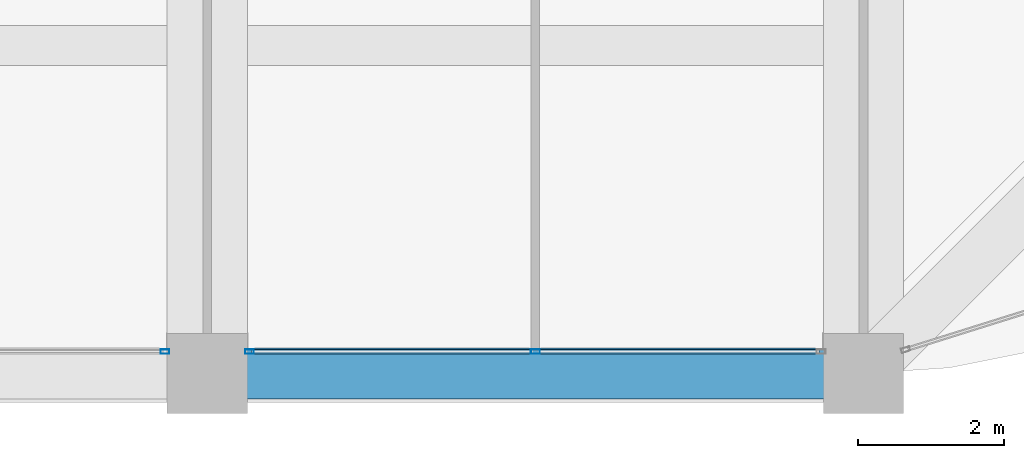
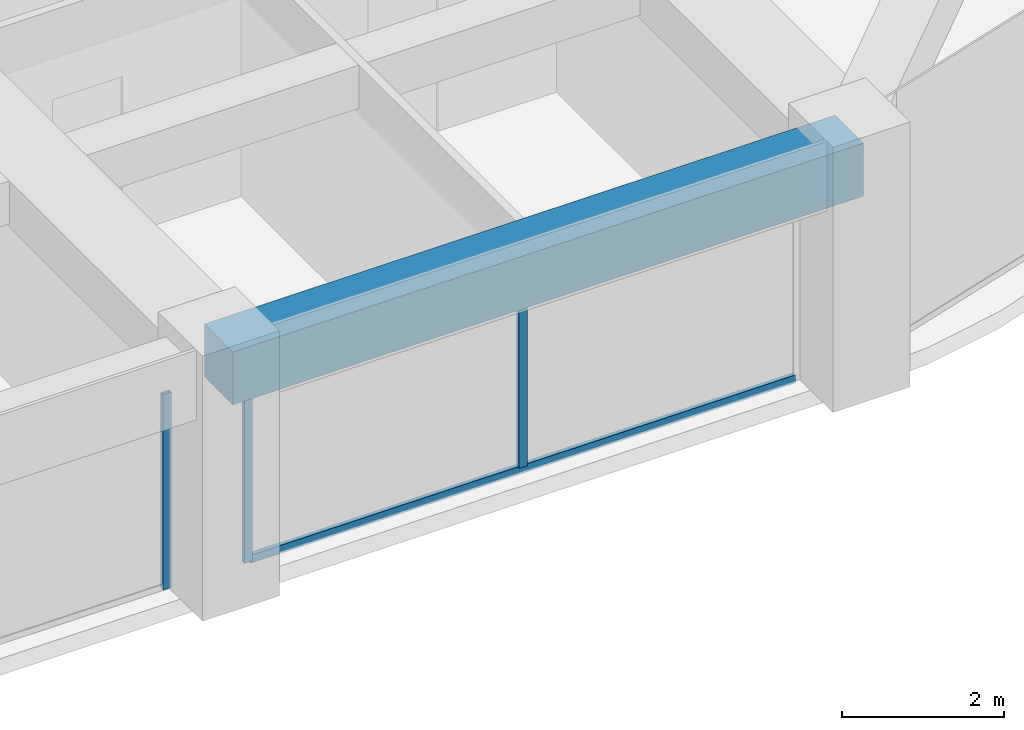
# One storey, part 11 of 44: 4 members, 1 beam, 2 elements without a shape of their own.
"""IFC4 building model written with IfcOpenShell, lengths in metres."""

from ifc_helpers import new_model, si_unit, direction, frame, origin, origin_2d, place, context, subcontext, project, spatial, rectangle, hollow_rectangle, extrude, material, material_profile, profile_set, type_object, element, aggregate, save


model = new_model("IFC4")

# Units and contexts
model_context = context("Model", 3, precision=1e-05, world=origin(), true_north=direction((0.0, 1.0)))
body_context = subcontext(model_context, "Body", "Model", "MODEL_VIEW")
ifc_project = project(units=[si_unit("LENGTHUNIT", "METRE"), si_unit("AREAUNIT", "SQUARE_METRE"), si_unit("VOLUMEUNIT", "CUBIC_METRE"), si_unit("PLANEANGLEUNIT", "RADIAN"), si_unit("MASSUNIT", "GRAM", prefix="KILO")], contexts=[model_context])

# Site, building, storey
site_placement = place(None, origin())
site = spatial("IfcSite", under=ifc_project, at=site_placement, CompositionType="ELEMENT")
building_placement = place(site_placement, origin())
building = spatial("IfcBuilding", under=site, at=building_placement, Name="Zorevar Civic Tower", CompositionType="ELEMENT")
storey_placement = place(building_placement, frame((0.0, 0.0, 283.39990234375)))
storey = spatial("IfcBuildingStorey", under=building, at=storey_placement, Name="L69", CompositionType="ELEMENT", Elevation=283.39990234375)

# Curtain wall, member
ifc_material_1 = material(Name="Dark grey solar-control glass in black aluminium frame", Category="aluminium")
curtain_wall_type = type_object("IfcCurtainWallType", Name="Curtain wall CW5 top zone", PredefinedType="NOTDEFINED", material=ifc_material_1)
curtain_wall_1_placement = place(storey_placement, origin())
curtain_wall_1 = element("IfcCurtainWall", 1, at=curtain_wall_1_placement, inside=storey, type_object=curtain_wall_type, Name="CW5 L69", PredefinedType="NOTDEFINED")
ifc_material_2 = material(Name="Aluminium, black anodised", Category="aluminium")
ifc_material_profile_1 = material_profile(ifc_material_2, hollow_rectangle(XDim=0.06005859375, YDim=0.1201171875, WallThickness=0.0029296875, at=origin_2d()), Name="AL 120x60x3")
ifc_profile_set_1 = profile_set([ifc_material_profile_1], Name="Aluminium, black anodised")
member_type_1 = type_object("IfcMemberType", Name="CW5 mullion AL 120x60x3", PredefinedType="MULLION", material=ifc_profile_set_1)
member_1_placement = place(storey_placement, frame((35.419921875, 0.300048828125, 0.0), z_axis=(0.0, 0.0, 1.0), x_axis=(0.0, 1.0, 0.0)))
member_1 = element("IfcMember", 2, at=member_1_placement, type_object=member_type_1, Name="CW5 mullion 3", PredefinedType="MULLION", context=body_context, shape_type="SweptSolid", body=[
    extrude(hollow_rectangle(XDim=0.06005859375, YDim=0.1201171875, WallThickness=0.0029296875, at=origin_2d()), origin(), (0.0, 0.0, 1.0), 2.9501953125),
])
aggregate(curtain_wall_1, [member_1])

# Curtain wall, members
curtain_wall_2_placement = place(storey_placement, origin())
curtain_wall_2 = element("IfcCurtainWall", 3, at=curtain_wall_2_placement, inside=storey, type_object=curtain_wall_type, Name="CW5 L69", PredefinedType="NOTDEFINED")
member_2_placement = place(storey_placement, frame((36.580078125, 0.300048828125, 0.0), z_axis=(0.0, 0.0, 1.0), x_axis=(0.0, 1.0, 0.0)))
member_2 = element("IfcMember", 4, at=member_2_placement, type_object=member_type_1, Name="CW5 mullion 1", PredefinedType="MULLION", context=body_context, shape_type="SweptSolid", body=[
    extrude(hollow_rectangle(XDim=0.06005859375, YDim=0.1201171875, WallThickness=0.0029296875, at=origin_2d()), origin(), (0.0, 0.0, 1.0), 2.9501953125),
])
member_3_placement = place(storey_placement, frame((40.5, 0.300048828125, 0.06005859375), z_axis=(0.0, 0.0, 1.0), x_axis=(0.0, 1.0, 0.0)))
member_3 = element("IfcMember", 5, at=member_3_placement, type_object=member_type_1, Name="CW5 mullion 2", PredefinedType="MULLION", context=body_context, shape_type="SweptSolid", body=[
    extrude(hollow_rectangle(XDim=0.06005859375, YDim=0.1201171875, WallThickness=0.0029296875, at=origin_2d()), origin(), (0.0, 0.0, 1.0), 2.89013671875),
])
ifc_material_3 = material(Name="Aluminium, black anodised", Category="aluminium")
ifc_material_profile_2 = material_profile(ifc_material_3, hollow_rectangle(XDim=0.06005859375, YDim=0.1201171875, WallThickness=0.0029296875, at=origin_2d()), Name="AL 120x60x3")
ifc_profile_set_2 = profile_set([ifc_material_profile_2], Name="Aluminium, black anodised")
member_type_2 = type_object("IfcMemberType", Name="CW5 transom AL 120x60x3", PredefinedType="USERDEFINED", material=ifc_profile_set_2)
member_4_placement = place(storey_placement, frame((36.610107421875, 0.300048828125, 0.030029296875), z_axis=(1.0, 0.0, 0.0), x_axis=(0.0, 1.0, 0.0)))
member_4 = element("IfcMember", 6, at=member_4_placement, type_object=member_type_2, Name="CW5 sill transom", ObjectType="TRANSOM", PredefinedType="USERDEFINED", context=body_context, shape_type="SweptSolid", body=[
    extrude(hollow_rectangle(XDim=0.06005859375, YDim=0.1201171875, WallThickness=0.0029296875, at=origin_2d()), origin(), (0.0, 0.0, 1.0), 7.77978515625),
])
aggregate(curtain_wall_2, [member_2, member_3, member_4])

# Beam
ifc_material_4 = material(Name="Concrete C50/60", Category="concrete")
ifc_material_profile_3 = material_profile(ifc_material_4, rectangle(XDim=0.699951171875, YDim=0.800048828125, at=origin_2d()), Name="RC 700x800")
ifc_profile_set_3 = profile_set([ifc_material_profile_3], Name="Concrete C50/60")
beam_type = type_object("IfcBeamType", Name="Edge beam RC 700x800", PredefinedType="SPANDREL", material=ifc_profile_set_3)
beam_placement = place(storey_placement, frame((36.0, 0.0, 3.35009765625), z_axis=(1.0, 0.0, 0.0), x_axis=(0.0, 1.0, 0.0)))
element("IfcBeam", 7, at=beam_placement, inside=storey, type_object=beam_type, Name="Edge beam L70", PredefinedType="SPANDREL", context=body_context, shape_type="SweptSolid", body=[
    extrude(rectangle(XDim=0.699951171875, YDim=0.800048828125, at=origin_2d()), origin(), (0.0, 0.0, 1.0), 9.0),
])

save(model, "model.ifc")
